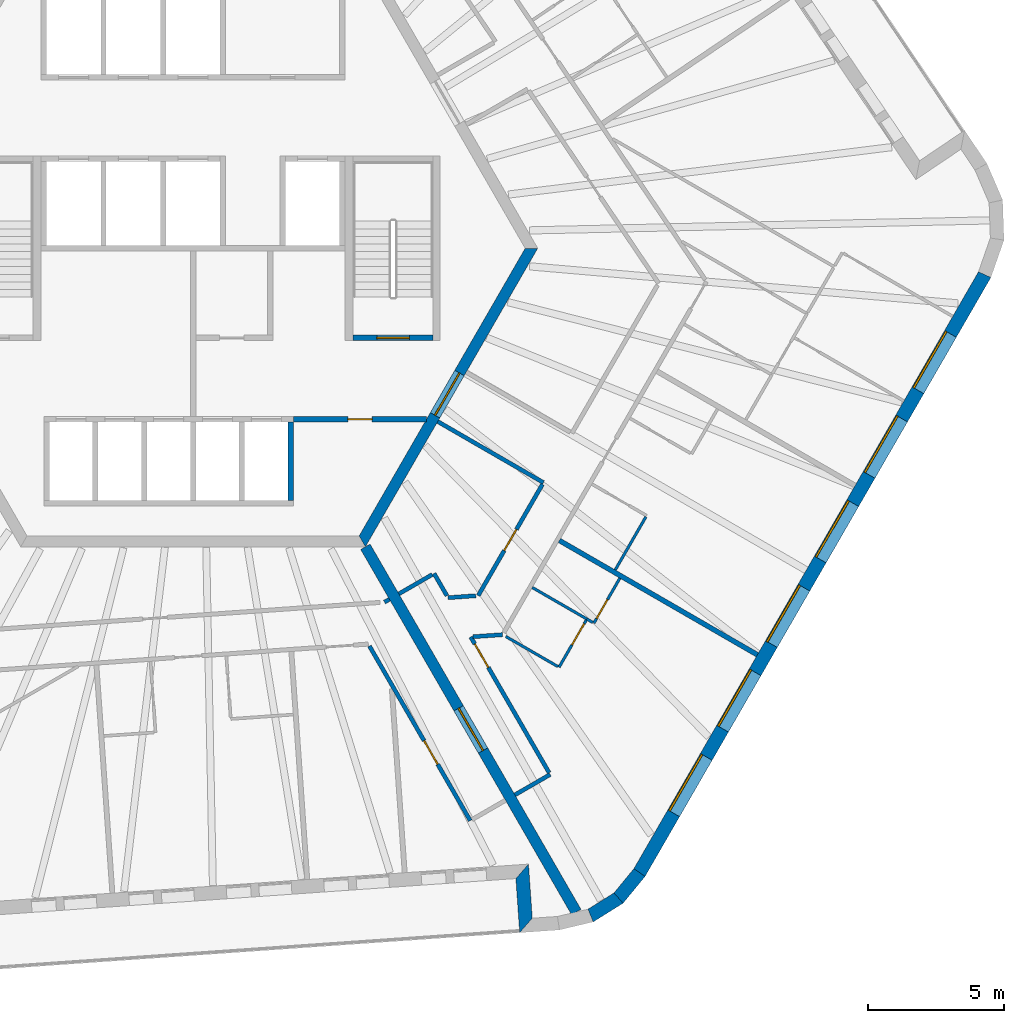
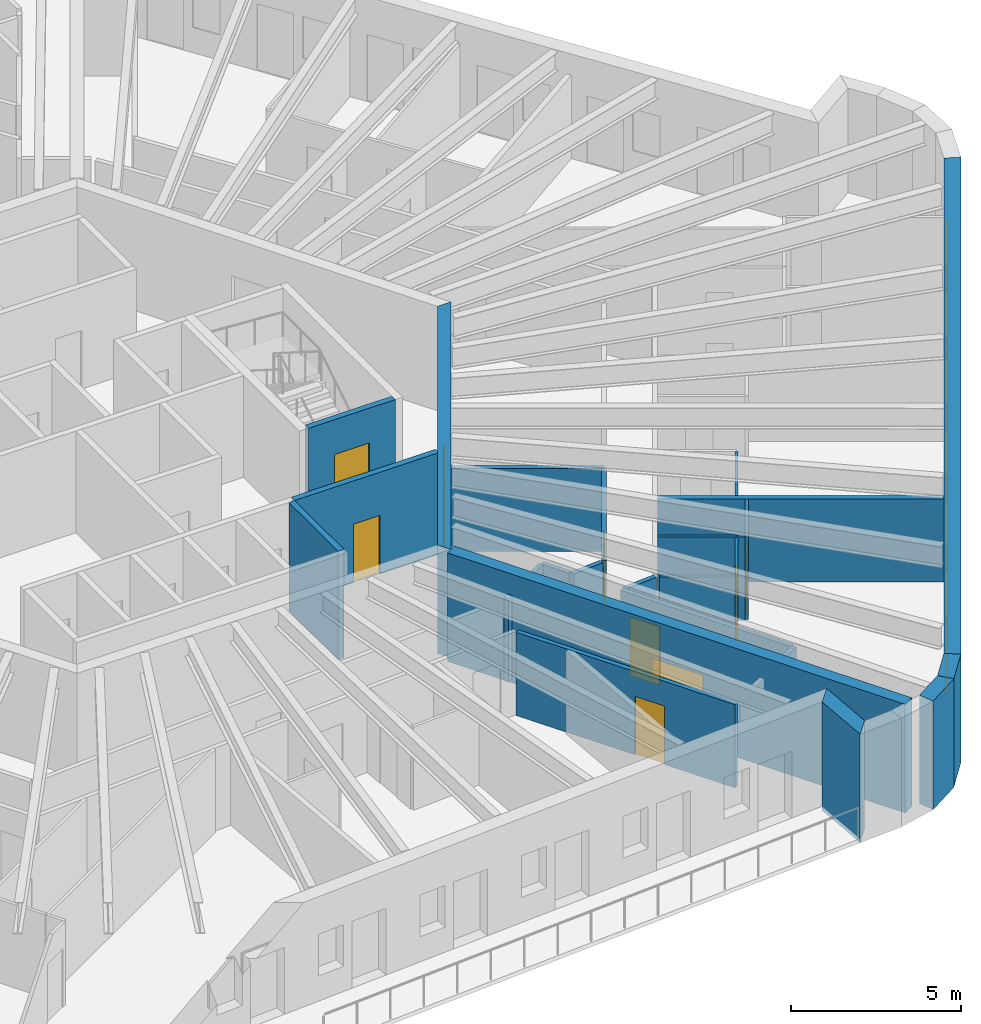
# One storey, part 6 of 12: 26 walls, 9 doors, 6 windows, 15 openings.
"""IFC4 building model written with IfcOpenShell, lengths in metres."""

from ifc_helpers import new_model, si_unit, direction, frame, frame_2d, origin, place, context, subcontext, project, spatial, polyline, rectangle, outline, extrude, material, layer, layer_set, type_object, element, fill, save


model = new_model("IFC4")

# Units and contexts
model_context = context("Model", 3, precision=1e-05, world=origin(), true_north=direction((0.0, 1.0)))
body_context = subcontext(model_context, "Body", "Model", "MODEL_VIEW")
ifc_project = project(units=[si_unit("LENGTHUNIT", "METRE"), si_unit("AREAUNIT", "SQUARE_METRE"), si_unit("VOLUMEUNIT", "CUBIC_METRE"), si_unit("PLANEANGLEUNIT", "RADIAN"), si_unit("MASSUNIT", "GRAM", prefix="KILO")], contexts=[model_context])

# Site, building, storey
site_placement = place(None, origin())
site = spatial("IfcSite", under=ifc_project, at=site_placement, CompositionType="ELEMENT")
building_placement = place(site_placement, origin())
building = spatial("IfcBuilding", under=site, at=building_placement, Name="Tarnside Tower", CompositionType="ELEMENT")
storey_placement = place(building_placement, frame((0.0, 0.0, 275.699951171875)))
storey = spatial("IfcBuildingStorey", under=building, at=storey_placement, Name="L66", CompositionType="ELEMENT", Elevation=275.699951171875)

# Wall, opening, door
ifc_material_1 = material(Name="Gypsum board partition on steel studs", Category="steel")
ifc_layer_1 = layer(ifc_material_1, 0.10009765625)
ifc_layer_set_1 = layer_set([ifc_layer_1], Name="Bathroom wall 100")
wall_type_1 = type_object("IfcWallType", Name="Bathroom wall 100", PredefinedType="PARTITIONING", material=ifc_layer_set_1)
wall_1_placement = place(storey_placement, frame((15.72802734375, -12.158203125, 0.0), z_axis=(0.0, 0.0, 1.0), x_axis=(-0.499947453424, -0.866055739439, 0.0)))
wall_1 = element("IfcWall", 1, at=wall_1_placement, inside=storey, type_object=wall_type_1, Name="Bathroom wall 21144", PredefinedType="PARTITIONING", context=body_context, shape_type="SweptSolid", body=[
    extrude(rectangle(XDim=1.909912109375, YDim=0.10009765625, at=frame_2d((0.955078125, 0.0))), origin(), (0.0, 0.0, 1.0), 2.98779296875),
])
opening_1_placement = place(wall_1_placement, frame((0.909912109375, 0.0, 0.0)))
opening_1 = element("IfcOpeningElement", 2, at=opening_1_placement, cuts=wall_1, Name="Opening D-B1", PredefinedType="OPENING", context=body_context, shape_type="SweptSolid", body=[
    extrude(rectangle(XDim=0.800048828125, YDim=2.10009765625, at=frame_2d((0.39990234375, 1.050048828125))), frame((0.0, 0.06005859375, 0.0), z_axis=(0.0, -1.0, 0.0), x_axis=(1.0, 0.0, 0.0)), (0.0, 0.0, 1.0), 0.1201171875),
])
ifc_material_2 = material(Name="Timber door leaf", Category="wood")
door_type_1 = type_object("IfcDoorType", Name="Bathroom door 800", OperationType="NOTDEFINED", PredefinedType="DOOR", material=ifc_material_2)
door_1_placement = place(opening_1_placement, origin())
door_1 = element("IfcDoor", 3, at=door_1_placement, inside=storey, type_object=door_type_1, Name="Bathroom door 21048", OperationType="SINGLE_SWING_LEFT", OverallHeight=2.10009765625, OverallWidth=0.800048828125, PredefinedType="DOOR", context=body_context, shape_type="SweptSolid", body=[
    extrude(rectangle(XDim=0.800048828125, YDim=2.10009765625, at=frame_2d((0.39990234375, 1.050048828125))), frame((0.0, 0.02490234375, 0.0), z_axis=(0.0, -1.0, 0.0), x_axis=(1.0, 0.0, 0.0)), (0.0, 0.0, 1.0), 0.050048828125),
])
fill(opening_1, door_1)

# Walls
wall_2_placement = place(storey_placement, frame((14.729736328125, -13.787353515625, 0.0), z_axis=(0.0, 0.0, 1.0), x_axis=(-0.865669265636, 0.500616342655, 0.0)))
element("IfcWall", 4, at=wall_2_placement, inside=storey, type_object=wall_type_1, Name="Bathroom wall 21145", PredefinedType="PARTITIONING", context=body_context, shape_type="SweptSolid", body=[
    extrude(rectangle(XDim=0.252197265625, YDim=0.10009765625, at=frame_2d((0.1259765625, 0.0))), origin(), (0.0, 0.0, 1.0), 2.98779296875),
])
wall_3_placement = place(storey_placement, frame((12.499755859375, -12.499755859375, 0.0), z_axis=(0.0, 0.0, 1.0), x_axis=(0.865998469481, -0.500046648681, 0.0)))
element("IfcWall", 5, at=wall_3_placement, inside=storey, type_object=wall_type_1, Name="Bathroom wall 21149", PredefinedType="PARTITIONING", context=body_context, shape_type="SweptSolid", body=[
    extrude(rectangle(XDim=2.324951171875, YDim=0.10009765625, at=frame_2d((1.16259765625, 0.0))), origin(), (0.0, 0.0, 1.0), 2.98779296875),
])

# Wall, opening, door
ifc_material_3 = material(Name="Concrete C40/50", Category="concrete")
ifc_layer_2 = layer(ifc_material_3, 0.199951171875)
ifc_layer_set_2 = layer_set([ifc_layer_2], Name="Core room partition 200 C40/50")
wall_type_2 = type_object("IfcWallType", Name="Core room partition 200 C40/50", PredefinedType="PARTITIONING", material=ifc_layer_set_2)
wall_4_placement = place(storey_placement, frame((3.699951171875, -6.300048828125, 0.0), z_axis=(0.0, 0.0, 1.0), x_axis=(1.0, 0.0, 0.0)))
wall_4 = element("IfcWall", 6, at=wall_4_placement, inside=storey, type_object=wall_type_2, Name="L66 core partition R4X", PredefinedType="PARTITIONING", context=body_context, shape_type="SweptSolid", body=[
    extrude(rectangle(XDim=4.902587890625, YDim=0.199951171875, at=frame_2d((2.451171875, 0.0))), origin(), (0.0, 0.0, 1.0), 3.650146484375),
])
opening_2_placement = place(wall_4_placement, frame((2.001220703125, 0.0, 0.0)))
opening_2 = element("IfcOpeningElement", 7, at=opening_2_placement, cuts=wall_4, Name="Opening CD-room", PredefinedType="OPENING", context=body_context, shape_type="SweptSolid", body=[
    extrude(rectangle(XDim=0.89990234375, YDim=2.10009765625, at=frame_2d((0.449951171875, 1.050048828125))), frame((0.0, 0.10986328125, 0.0), z_axis=(0.0, -1.0, 0.0), x_axis=(1.0, 0.0, 0.0)), (0.0, 0.0, 1.0), 0.219970703125),
])
ifc_material_4 = material(Name="Steel fire door", Category="steel")
door_type_2 = type_object("IfcDoorType", Name="Room door FD60 900x2100", OperationType="NOTDEFINED", PredefinedType="DOOR", material=ifc_material_4)
door_2_placement = place(opening_2_placement, origin())
door_2 = element("IfcDoor", 8, at=door_2_placement, inside=storey, type_object=door_type_2, Name="L66 core room door RX", OperationType="SINGLE_SWING_LEFT", OverallHeight=2.10009765625, OverallWidth=0.89990234375, PredefinedType="DOOR", context=body_context, shape_type="SweptSolid", body=[
    extrude(rectangle(XDim=0.89990234375, YDim=2.10009765625, at=frame_2d((0.449951171875, 1.050048828125))), frame((0.0, 0.02490234375, 0.0), z_axis=(0.0, -1.0, 0.0), x_axis=(1.0, 0.0, 0.0)), (0.0, 0.0, 1.0), 0.050048828125),
])
fill(opening_2, door_2)

ifc_material_5 = material(Name="Concrete C60/75", Category="concrete")
ifc_layer_3 = layer(ifc_material_5, 0.39990234375)
ifc_layer_set_3 = layer_set([ifc_layer_3], Name="Core wall Z3 400 C60/75")
wall_type_3 = type_object("IfcWallType", Name="Core wall Z3 400 C60/75", PredefinedType="SHEAR", material=ifc_layer_set_3)
wall_5_placement = place(storey_placement, frame((6.2353515625, -10.800048828125, -0.14990234375), z_axis=(0.0, 0.0, 1.0), x_axis=(0.499996419489, 0.866027470984, 0.0)))
wall_5 = element("IfcWall", 9, at=wall_5_placement, inside=storey, type_object=wall_type_3, Name="L66 core wall face 5", PredefinedType="SHEAR", context=body_context, shape_type="SweptSolid", body=[
    extrude(outline(polyline([(-0.115478515625, -0.199951171875), (12.586181640625, -0.199951171875), (12.355224609375, 0.199951171875), (0.115478515625, 0.199951171875), (-0.115478515625, -0.199951171875)])), origin(), (0.0, 0.0, 1.0), 3.89990234375),
])
opening_3_placement = place(wall_5_placement, frame((5.3642578125, 0.0, 0.14990234375)))
opening_3 = element("IfcOpeningElement", 10, at=opening_3_placement, cuts=wall_5, Name="Opening CD-FFL", PredefinedType="OPENING", context=body_context, shape_type="SweptSolid", body=[
    extrude(rectangle(XDim=1.800048828125, YDim=2.39990234375, at=frame_2d((0.89990234375, 1.199951171875))), frame((0.0, 0.2099609375, 0.0), z_axis=(0.0, -1.0, 0.0), x_axis=(1.0, 0.0, 0.0)), (0.0, 0.0, 1.0), 0.419921875),
])
door_type_3 = type_object("IfcDoorType", Name="Firefighting lobby double door FD60S 1800x2400", OperationType="NOTDEFINED", PredefinedType="DOOR", material=ifc_material_4)
door_3_placement = place(opening_3_placement, origin())
door_3 = element("IfcDoor", 11, at=door_3_placement, inside=storey, type_object=door_type_3, Name="L66 core door P4", OperationType="DOUBLE_DOOR_SINGLE_SWING", OverallHeight=2.39990234375, OverallWidth=1.800048828125, PredefinedType="DOOR", context=body_context, shape_type="SweptSolid", body=[
    extrude(rectangle(XDim=1.800048828125, YDim=2.39990234375, at=frame_2d((0.89990234375, 1.199951171875))), frame((0.0, 0.02490234375, 0.0), z_axis=(0.0, -1.0, 0.0), x_axis=(1.0, 0.0, 0.0)), (0.0, 0.0, 1.0), 0.050048828125),
])
fill(opening_3, door_3)

wall_6_placement = place(storey_placement, frame((6.350830078125, -11.0, -0.14990234375), z_axis=(0.0, 0.0, 1.0), x_axis=(0.499998894578, -0.866026041999, 0.0)))
wall_6 = element("IfcWall", 12, at=wall_6_placement, inside=storey, type_object=wall_type_3, Name="L66 spine wall 3", PredefinedType="SHEAR", context=body_context, shape_type="SweptSolid", body=[
    extrude(rectangle(XDim=15.54443359375, YDim=0.39990234375, at=frame_2d((7.772216796875, 0.0))), origin(), (0.0, 0.0, 1.0), 3.89990234375),
])
opening_4_placement = place(wall_6_placement, frame((6.872314453125, 0.0, 0.14990234375)))
opening_4 = element("IfcOpeningElement", 13, at=opening_4_placement, cuts=wall_6, Name="Opening CD-SPN", PredefinedType="OPENING", context=body_context, shape_type="SweptSolid", body=[
    extrude(rectangle(XDim=1.800048828125, YDim=2.39990234375, at=frame_2d((0.89990234375, 1.199951171875))), frame((0.0, 0.2099609375, 0.0), z_axis=(0.0, -1.0, 0.0), x_axis=(1.0, 0.0, 0.0)), (0.0, 0.0, 1.0), 0.419921875),
])
door_type_4 = type_object("IfcDoorType", Name="Spine passage double door FD60 1800x2400", OperationType="NOTDEFINED", PredefinedType="DOOR", material=ifc_material_4)
door_4_placement = place(opening_4_placement, origin())
door_4 = element("IfcDoor", 14, at=door_4_placement, inside=storey, type_object=door_type_4, Name="L66 spine passage door 3", OperationType="DOUBLE_DOOR_SINGLE_SWING", OverallHeight=2.39990234375, OverallWidth=1.800048828125, PredefinedType="DOOR", context=body_context, shape_type="SweptSolid", body=[
    extrude(rectangle(XDim=1.800048828125, YDim=2.39990234375, at=frame_2d((0.89990234375, 1.199951171875))), frame((0.0, 0.02490234375, 0.0), z_axis=(0.0, -1.0, 0.0), x_axis=(1.0, 0.0, 0.0)), (0.0, 0.0, 1.0), 0.050048828125),
])
fill(opening_4, door_4)

ifc_layer_4 = layer(ifc_material_1, 0.14990234375)
ifc_layer_set_4 = layer_set([ifc_layer_4], Name="Corridor wall 150 EI 60")
wall_type_4 = type_object("IfcWallType", Name="Corridor wall 150 EI 60", PredefinedType="PARTITIONING", material=ifc_layer_set_4)
wall_7_placement = place(storey_placement, frame((6.49951171875, -14.6572265625, 0.0), z_axis=(0.0, 0.0, 1.0), x_axis=(0.499966098742, -0.8660449758, 0.0)))
wall_7 = element("IfcWall", 15, at=wall_7_placement, inside=storey, type_object=wall_type_4, Name="Corridor wall 21044", PredefinedType="PARTITIONING", context=body_context, shape_type="SweptSolid", body=[
    extrude(rectangle(XDim=7.4306640625, YDim=0.14990234375, at=frame_2d((3.71533203125, 0.0))), origin(), (0.0, 0.0, 1.0), 2.98779296875),
])
opening_5_placement = place(wall_7_placement, frame((4.02978515625, 0.0, 0.0)))
opening_5 = element("IfcOpeningElement", 16, at=opening_5_placement, cuts=wall_7, Name="Opening D-E1", PredefinedType="OPENING", context=body_context, shape_type="SweptSolid", body=[
    extrude(rectangle(XDim=1.0, YDim=2.10009765625, at=frame_2d((0.5, 1.050048828125))), frame((0.0, 0.0849609375, 0.0), z_axis=(0.0, -1.0, 0.0), x_axis=(1.0, 0.0, 0.0)), (0.0, 0.0, 1.0), 0.169921875),
])
door_type_5 = type_object("IfcDoorType", Name="Unit entrance door 1000 FD30S", OperationType="NOTDEFINED", PredefinedType="DOOR", material=ifc_material_2)
door_5_placement = place(opening_5_placement, origin())
door_5 = element("IfcDoor", 17, at=door_5_placement, inside=storey, type_object=door_type_5, Name="Unit door 21046", OperationType="SINGLE_SWING_RIGHT", OverallHeight=2.10009765625, OverallWidth=1.0, PredefinedType="DOOR", context=body_context, shape_type="SweptSolid", body=[
    extrude(rectangle(XDim=1.0, YDim=2.10009765625, at=frame_2d((0.5, 1.050048828125))), frame((0.0, 0.02490234375, 0.0), z_axis=(0.0, -1.0, 0.0), x_axis=(1.0, 0.0, 0.0)), (0.0, 0.0, 1.0), 0.050048828125),
])
fill(opening_5, door_5)

# Walls
wall_8_placement = place(storey_placement, frame((7.23681640625, -12.9345703125, 0.0), z_axis=(0.0, 0.0, 1.0), x_axis=(-0.866088799389, -0.499890179513, 0.0)))
element("IfcWall", 18, at=wall_8_placement, inside=storey, type_object=wall_type_4, Name="Corridor wall 21052", PredefinedType="PARTITIONING", context=body_context, shape_type="SweptSolid", body=[
    extrude(rectangle(XDim=0.2099609375, YDim=0.14990234375, at=frame_2d((0.10498046875, 0.0))), origin(), (0.0, 0.0, 1.0), 2.98779296875),
])
wall_9_placement = place(storey_placement, frame((11.860107421875, -20.142333984375, 0.0), z_axis=(0.0, 0.0, 1.0), x_axis=(0.866031096941, 0.499990139034, 0.0)))
element("IfcWall", 19, at=wall_9_placement, inside=storey, type_object=wall_type_4, Name="Corridor wall 21056", PredefinedType="PARTITIONING", context=body_context, shape_type="SweptSolid", body=[
    extrude(rectangle(XDim=1.5, YDim=0.14990234375, at=frame_2d((0.75, 0.0))), origin(), (0.0, 0.0, 1.0), 2.98779296875),
])

# Wall, opening, door
wall_10_placement = place(storey_placement, frame((13.121826171875, -19.327392578125, 0.0), z_axis=(0.0, 0.0, 1.0), x_axis=(-0.500013707032, 0.866017489881, 0.0)))
wall_10 = element("IfcWall", 20, at=wall_10_placement, inside=storey, type_object=wall_type_4, Name="Corridor wall 21057", PredefinedType="PARTITIONING", context=body_context, shape_type="SweptSolid", body=[
    extrude(rectangle(XDim=5.780517578125, YDim=0.14990234375, at=frame_2d((2.89013671875, 0.0))), origin(), (0.0, 0.0, 1.0), 2.98779296875),
])
opening_6_placement = place(wall_10_placement, frame((4.480712890625, 0.0, 0.0)))
opening_6 = element("IfcOpeningElement", 21, at=opening_6_placement, cuts=wall_10, Name="Opening D-E1", PredefinedType="OPENING", context=body_context, shape_type="SweptSolid", body=[
    extrude(rectangle(XDim=1.0, YDim=2.10009765625, at=frame_2d((0.5, 1.050048828125))), frame((0.0, 0.0849609375, 0.0), z_axis=(0.0, -1.0, 0.0), x_axis=(1.0, 0.0, 0.0)), (0.0, 0.0, 1.0), 0.169921875),
])
door_6_placement = place(opening_6_placement, origin())
door_6 = element("IfcDoor", 22, at=door_6_placement, inside=storey, type_object=door_type_5, Name="Unit door 21047", OperationType="SINGLE_SWING_LEFT", OverallHeight=2.10009765625, OverallWidth=1.0, PredefinedType="DOOR", context=body_context, shape_type="SweptSolid", body=[
    extrude(rectangle(XDim=1.0, YDim=2.10009765625, at=frame_2d((0.5, 1.050048828125))), frame((0.0, 0.02490234375, 0.0), z_axis=(0.0, -1.0, 0.0), x_axis=(1.0, 0.0, 0.0)), (0.0, 0.0, 1.0), 0.050048828125),
])
fill(opening_6, door_6)

# Walls
wall_11_placement = place(storey_placement, frame((10.314453125, -14.3154296875, 0.0), z_axis=(0.0, 0.0, 1.0), x_axis=(0.997557107149, 0.069855693944, 0.0)))
element("IfcWall", 23, at=wall_11_placement, inside=storey, type_object=wall_type_4, Name="Corridor wall 21058", PredefinedType="PARTITIONING", context=body_context, shape_type="SweptSolid", body=[
    extrude(rectangle(XDim=1.097412109375, YDim=0.14990234375, at=frame_2d((0.548828125, 0.0))), origin(), (0.0, 0.0, 1.0), 2.98779296875),
])
wall_12_placement = place(storey_placement, frame((9.015625, -6.38427734375, 0.0), z_axis=(0.0, 0.0, 1.0), x_axis=(0.866031096941, -0.499990139034, 0.0)))
element("IfcWall", 24, at=wall_12_placement, inside=storey, type_object=wall_type_4, Name="Corridor wall 21078", PredefinedType="PARTITIONING", context=body_context, shape_type="SweptSolid", body=[
    extrude(rectangle(XDim=4.5, YDim=0.14990234375, at=frame_2d((2.25, 0.0))), origin(), (0.0, 0.0, 1.0), 2.98779296875),
])

# Wall, opening, door
wall_13_placement = place(storey_placement, frame((12.875244140625, -8.69921875, 0.0), z_axis=(0.0, 0.0, 1.0), x_axis=(-0.49999482868, -0.866028389427, 0.0)))
wall_13 = element("IfcWall", 25, at=wall_13_placement, inside=storey, type_object=wall_type_4, Name="Corridor wall 21079", PredefinedType="PARTITIONING", context=body_context, shape_type="SweptSolid", body=[
    extrude(rectangle(XDim=4.73291015625, YDim=0.14990234375, at=frame_2d((2.366455078125, 0.0))), origin(), (0.0, 0.0, 1.0), 2.98779296875),
])
opening_7_placement = place(wall_13_placement, frame((1.91650390625, 0.0, 0.0)))
opening_7 = element("IfcOpeningElement", 26, at=opening_7_placement, cuts=wall_13, Name="Opening D-S1", PredefinedType="OPENING", context=body_context, shape_type="SweptSolid", body=[
    extrude(rectangle(XDim=0.89990234375, YDim=2.10009765625, at=frame_2d((0.449951171875, 1.050048828125))), frame((0.0, 0.0849609375, 0.0), z_axis=(0.0, -1.0, 0.0), x_axis=(1.0, 0.0, 0.0)), (0.0, 0.0, 1.0), 0.169921875),
])
door_type_6 = type_object("IfcDoorType", Name="Service room door 900 FD30S", OperationType="NOTDEFINED", PredefinedType="DOOR", material=ifc_material_2)
door_7_placement = place(opening_7_placement, origin())
door_7 = element("IfcDoor", 27, at=door_7_placement, inside=storey, type_object=door_type_6, Name="Service door 21074", OperationType="SINGLE_SWING_LEFT", OverallHeight=2.10009765625, OverallWidth=0.89990234375, PredefinedType="DOOR", context=body_context, shape_type="SweptSolid", body=[
    extrude(rectangle(XDim=0.89990234375, YDim=2.10009765625, at=frame_2d((0.449951171875, 1.050048828125))), frame((0.0, 0.02490234375, 0.0), z_axis=(0.0, -1.0, 0.0), x_axis=(1.0, 0.0, 0.0)), (0.0, 0.0, 1.0), 0.050048828125),
])
fill(opening_7, door_7)

# Walls
wall_14_placement = place(storey_placement, frame((10.418701171875, -12.804443359375, 0.0), z_axis=(0.0, 0.0, 1.0), x_axis=(-0.997558136861, -0.069840987838, 0.0)))
element("IfcWall", 28, at=wall_14_placement, inside=storey, type_object=wall_type_4, Name="Corridor wall 21080", PredefinedType="PARTITIONING", context=body_context, shape_type="SweptSolid", body=[
    extrude(rectangle(XDim=1.024169921875, YDim=0.14990234375, at=frame_2d((0.51220703125, 0.0))), origin(), (0.0, 0.0, 1.0), 2.98779296875),
])
wall_15_placement = place(storey_placement, frame((9.355224609375, -12.8037109375, 0.0), z_axis=(0.0, 0.0, 1.0), x_axis=(-0.499998034377, 0.866026538634, 0.0)))
element("IfcWall", 29, at=wall_15_placement, inside=storey, type_object=wall_type_4, Name="Corridor wall 21081", PredefinedType="PARTITIONING", context=body_context, shape_type="SweptSolid", body=[
    extrude(rectangle(XDim=0.94580078125, YDim=0.14990234375, at=frame_2d((0.472900390625, 0.0))), origin(), (0.0, 0.0, 1.0), 2.98779296875),
])
wall_16_placement = place(storey_placement, frame((8.8173828125, -12.022216796875, 0.0), z_axis=(0.0, 0.0, 1.0), x_axis=(-0.866062911188, -0.499935029643, 0.0)))
element("IfcWall", 30, at=wall_16_placement, inside=storey, type_object=wall_type_4, Name="Corridor wall 21082", PredefinedType="PARTITIONING", context=body_context, shape_type="SweptSolid", body=[
    extrude(rectangle(XDim=1.425048828125, YDim=0.14990234375, at=frame_2d((0.71240234375, 0.0))), origin(), (0.0, 0.0, 1.0), 2.98779296875),
])
ifc_layer_5 = layer(ifc_material_1, 0.179931640625)
ifc_layer_set_5 = layer_set([ifc_layer_5], Name="Demising wall 180 EI 60")
wall_type_5 = type_object("IfcWallType", Name="Demising wall 180 EI 60", PredefinedType="PARTITIONING", material=ifc_layer_set_5)
wall_17_placement = place(storey_placement, frame((20.796142578125, -14.980224609375, 0.0), z_axis=(0.0, 0.0, 1.0), x_axis=(-0.866021515814, 0.500006734102, 0.0)))
element("IfcWall", 31, at=wall_17_placement, inside=storey, type_object=wall_type_5, Name="Demising wall 21148", PredefinedType="PARTITIONING", context=body_context, shape_type="SweptSolid", body=[
    extrude(rectangle(XDim=8.42529296875, YDim=0.179931640625, at=frame_2d((4.212646484375, 0.0))), origin(), (0.0, 0.0, 1.0), 2.98779296875),
])
ifc_layer_6 = layer(ifc_material_3, 0.199951171875)
ifc_layer_set_6 = layer_set([ifc_layer_6], Name="Lift shaft wall 200 C40/50")
wall_type_6 = type_object("IfcWallType", Name="Lift shaft wall 200 C40/50", PredefinedType="SHEAR", material=ifc_layer_set_6)
wall_18_placement = place(storey_placement, frame((3.60009765625, -9.300048828125, -0.25), z_axis=(0.0, 0.0, 1.0), x_axis=(0.0, 1.0, 0.0)))
element("IfcWall", 32, at=wall_18_placement, inside=storey, type_object=wall_type_6, Name="L66 lift shaft partition R46", PredefinedType="SHEAR", context=body_context, shape_type="SweptSolid", body=[
    extrude(rectangle(XDim=2.900146484375, YDim=0.199951171875, at=frame_2d((1.4501953125, 0.0))), origin(), (0.0, 0.0, 1.0), 3.900146484375),
])

# Wall, opening, door
wall_19_placement = place(storey_placement, frame((5.89990234375, -3.300048828125, -0.25), z_axis=(0.0, 0.0, 1.0), x_axis=(1.0, 0.0, 0.0)))
wall_19 = element("IfcWall", 33, at=wall_19_placement, inside=storey, type_object=wall_type_6, Name="L66 stair 1 enclosure cap wall s", PredefinedType="SHEAR", context=body_context, shape_type="SweptSolid", body=[
    extrude(rectangle(XDim=2.9501953125, YDim=0.199951171875, at=frame_2d((1.47509765625, 0.0))), origin(), (0.0, 0.0, 1.0), 3.900146484375),
])
opening_8_placement = place(wall_19_placement, frame((0.875, 0.0, 0.25)))
opening_8 = element("IfcOpeningElement", 34, at=opening_8_placement, cuts=wall_19, Name="Opening CD-STR", PredefinedType="OPENING", context=body_context, shape_type="SweptSolid", body=[
    extrude(rectangle(XDim=1.199951171875, YDim=2.39990234375, at=frame_2d((0.60009765625, 1.199951171875))), frame((0.0, 0.10986328125, 0.0), z_axis=(0.0, -1.0, 0.0), x_axis=(1.0, 0.0, 0.0)), (0.0, 0.0, 1.0), 0.219970703125),
])
door_type_7 = type_object("IfcDoorType", Name="Stair door FD60S 1200x2400", OperationType="NOTDEFINED", PredefinedType="DOOR", material=ifc_material_4)
door_8_placement = place(opening_8_placement, origin())
door_8 = element("IfcDoor", 35, at=door_8_placement, inside=storey, type_object=door_type_7, Name="L66 stair 1 door", OperationType="SINGLE_SWING_LEFT", OverallHeight=2.39990234375, OverallWidth=1.199951171875, PredefinedType="DOOR", context=body_context, shape_type="SweptSolid", body=[
    extrude(rectangle(XDim=1.199951171875, YDim=2.39990234375, at=frame_2d((0.60009765625, 1.199951171875))), frame((0.0, 0.02490234375, 0.0), z_axis=(0.0, -1.0, 0.0), x_axis=(1.0, 0.0, 0.0)), (0.0, 0.0, 1.0), 0.050048828125),
])
fill(opening_8, door_8)

# Wall
ifc_material_6 = material(Name="Dark zinc cladding")
ifc_layer_7 = layer(ifc_material_6, 0.10205078125)
ifc_material_7 = material(Name="Concrete C60/75 precast", Category="concrete")
ifc_layer_8 = layer(ifc_material_7, 0.298095703125)
ifc_material_8 = material(Name="Mineral wool insulation")
ifc_layer_9 = layer(ifc_material_8, 0.10009765625)
ifc_layer_set_7 = layer_set([ifc_layer_7, ifc_layer_8, ifc_layer_9], Name="Loggia wall 500 zinc faced")
wall_type_7 = type_object("IfcWallType", Name="Loggia wall 500 zinc faced", PredefinedType="SOLIDWALL", material=ifc_layer_set_7)
wall_20_placement = place(storey_placement, frame((12.128662109375, -22.9599609375, -0.14990234375), z_axis=(0.0, 0.0, 1.0), x_axis=(0.069824268692, -0.99755930726, 0.0)))
element("IfcWall", 36, at=wall_20_placement, inside=storey, type_object=wall_type_7, Name="Tube wall L66 F4 return 19", PredefinedType="SOLIDWALL", context=body_context, shape_type="SweptSolid", body=[
    extrude(outline(polyline([(0.25, -0.25), (2.25, -0.25), (1.75, 0.25), (-0.25, 0.25), (0.25, -0.25)])), origin(), (0.0, 0.0, 1.0), 3.89990234375),
])

# Wall, opening, door
ifc_layer_10 = layer(ifc_material_1, 0.10009765625)
ifc_layer_set_8 = layer_set([ifc_layer_10], Name="Partition 100")
wall_type_8 = type_object("IfcWallType", Name="Partition 100", PredefinedType="PARTITIONING", material=ifc_layer_set_8)
wall_21_placement = place(storey_placement, frame((14.48828125, -13.70556640625, 0.0), z_axis=(0.0, 0.0, 1.0), x_axis=(-0.500035721725, -0.866004778855, 0.0)))
wall_21 = element("IfcWall", 37, at=wall_21_placement, inside=storey, type_object=wall_type_8, Name="Partition wall 21146", PredefinedType="PARTITIONING", context=body_context, shape_type="SweptSolid", body=[
    extrude(rectangle(XDim=2.001220703125, YDim=0.10009765625, at=frame_2d((1.00048828125, 0.0))), origin(), (0.0, 0.0, 1.0), 2.98779296875),
])
opening_9_placement = place(wall_21_placement, frame((0.14990234375, 0.0, 0.0)))
opening_9 = element("IfcOpeningElement", 38, at=opening_9_placement, cuts=wall_21, Name="Opening D-I1", PredefinedType="OPENING", context=body_context, shape_type="SweptSolid", body=[
    extrude(rectangle(XDim=0.89990234375, YDim=2.10009765625, at=frame_2d((0.449951171875, 1.050048828125))), frame((0.0, 0.06005859375, 0.0), z_axis=(0.0, -1.0, 0.0), x_axis=(1.0, 0.0, 0.0)), (0.0, 0.0, 1.0), 0.1201171875),
])
door_type_8 = type_object("IfcDoorType", Name="Internal door 900", OperationType="NOTDEFINED", PredefinedType="DOOR", material=ifc_material_2)
door_9_placement = place(opening_9_placement, origin())
door_9 = element("IfcDoor", 39, at=door_9_placement, inside=storey, type_object=door_type_8, Name="Internal door 21049", OperationType="SINGLE_SWING_RIGHT", OverallHeight=2.10009765625, OverallWidth=0.89990234375, PredefinedType="DOOR", context=body_context, shape_type="SweptSolid", body=[
    extrude(rectangle(XDim=0.89990234375, YDim=2.10009765625, at=frame_2d((0.449951171875, 1.050048828125))), frame((0.0, 0.02490234375, 0.0), z_axis=(0.0, -1.0, 0.0), x_axis=(1.0, 0.0, 0.0)), (0.0, 0.0, 1.0), 0.050048828125),
])
fill(opening_9, door_9)

# Walls
wall_22_placement = place(storey_placement, frame((13.4443359375, -15.413818359375, 0.0), z_axis=(0.0, 0.0, 1.0), x_axis=(-0.866024121142, 0.500002221596, 0.0)))
element("IfcWall", 40, at=wall_22_placement, inside=storey, type_object=wall_type_8, Name="Partition wall 21147", PredefinedType="PARTITIONING", context=body_context, shape_type="SweptSolid", body=[
    extrude(rectangle(XDim=2.2158203125, YDim=0.10009765625, at=frame_2d((1.10791015625, 0.0))), origin(), (0.0, 0.0, 1.0), 2.98779296875),
])
wall_23_placement = place(storey_placement, frame((16.688232421875, -9.89501953125, 0.0), z_axis=(0.0, 0.0, 1.0), x_axis=(-0.49995000081, -0.866054268906, 0.0)))
element("IfcWall", 41, at=wall_23_placement, inside=storey, type_object=wall_type_8, Name="Partition wall 21155", PredefinedType="PARTITIONING", context=body_context, shape_type="SweptSolid", body=[
    extrude(rectangle(XDim=2.260009765625, YDim=0.10009765625, at=frame_2d((1.1298828125, 0.0))), origin(), (0.0, 0.0, 1.0), 2.98779296875),
])
ifc_material_9 = material(Name="Facing brick", Category="masonry")
ifc_layer_11 = layer(ifc_material_9, 0.10205078125)
ifc_layer_12 = layer(ifc_material_7, 0.298095703125)
ifc_layer_13 = layer(ifc_material_8, 0.10009765625)
ifc_layer_set_9 = layer_set([ifc_layer_11, ifc_layer_12, ifc_layer_13], Name="Tube wall 500 brick faced")
wall_type_9 = type_object("IfcWallType", Name="Tube wall 500 brick faced", PredefinedType="SOLIDWALL", material=ifc_layer_set_9)
wall_24_placement = place(storey_placement, frame((14.64892578125, -24.5908203125, -0.14990234375), z_axis=(0.0, 0.0, 1.0), x_axis=(0.848054682072, 0.529908724419, 0.0)))
element("IfcWall", 42, at=wall_24_placement, inside=storey, type_object=wall_type_9, Name="Tube wall L66 F4 chord 22", PredefinedType="SOLIDWALL", context=body_context, shape_type="SweptSolid", body=[
    extrude(outline(polyline([(-0.041015625, -0.25), (1.25732421875, -0.25), (1.17529296875, 0.25), (0.041015625, 0.25), (-0.041015625, -0.25)])), origin(), (0.0, 0.0, 1.0), 3.89990234375),
])
wall_25_placement = place(storey_placement, frame((15.680419921875, -23.9462890625, -0.14990234375), z_axis=(0.0, 0.0, 1.0), x_axis=(0.633805934167, 0.773492105852, 0.0)))
element("IfcWall", 43, at=wall_25_placement, inside=storey, type_object=wall_type_9, Name="Tube wall L66 F4 chord 23", PredefinedType="SOLIDWALL", context=body_context, shape_type="SweptSolid", body=[
    extrude(outline(polyline([(-0.041015625, -0.25), (1.237060546875, -0.25), (1.196044921875, 0.25), (0.041015625, 0.25), (-0.041015625, -0.25)])), origin(), (0.0, 0.0, 1.0), 3.89990234375),
])

# Wall, openings, windows
wall_26_placement = place(storey_placement, frame((16.451416015625, -23.00537109375, -0.14990234375), z_axis=(0.0, 0.0, 1.0), x_axis=(0.500003737743, 0.866023245787, 0.0)))
wall_26 = element("IfcWall", 44, at=wall_26_placement, inside=storey, type_object=wall_type_9, Name="Tube wall L66 F5 flush 24", PredefinedType="SOLIDWALL", context=body_context, shape_type="SweptSolid", body=[
    extrude(outline(polyline([(-0.0205078125, -0.25), (25.468017578125, -0.25), (25.421142578125, 0.25), (0.0205078125, 0.25), (-0.0205078125, -0.25)])), origin(), (0.0, 0.0, 1.0), 3.89990234375),
])
opening_10_placement = place(wall_26_placement, frame((2.5224609375, 0.0, 0.75)))
opening_10 = element("IfcOpeningElement", 45, at=opening_10_placement, cuts=wall_26, Name="Opening WR", PredefinedType="OPENING", context=body_context, shape_type="SweptSolid", body=[
    extrude(rectangle(XDim=2.39990234375, YDim=2.699951171875, at=frame_2d((1.199951171875, 1.35009765625))), frame((0.0, 0.260009765625, 0.0), z_axis=(0.0, -1.0, 0.0), x_axis=(1.0, 0.0, 0.0)), (0.0, 0.0, 1.0), 0.52001953125),
])
opening_11_placement = place(wall_26_placement, frame((6.122314453125, 0.0, 0.75)))
opening_11 = element("IfcOpeningElement", 46, at=opening_11_placement, cuts=wall_26, Name="Opening WR", PredefinedType="OPENING", context=body_context, shape_type="SweptSolid", body=[
    extrude(rectangle(XDim=2.39990234375, YDim=2.699951171875, at=frame_2d((1.199951171875, 1.35009765625))), frame((0.0, 0.260009765625, 0.0), z_axis=(0.0, -1.0, 0.0), x_axis=(1.0, 0.0, 0.0)), (0.0, 0.0, 1.0), 0.52001953125),
])
opening_12_placement = place(wall_26_placement, frame((9.722412109375, 0.0, 0.75)))
opening_12 = element("IfcOpeningElement", 47, at=opening_12_placement, cuts=wall_26, Name="Opening WR", PredefinedType="OPENING", context=body_context, shape_type="SweptSolid", body=[
    extrude(rectangle(XDim=2.39990234375, YDim=2.699951171875, at=frame_2d((1.199951171875, 1.35009765625))), frame((0.0, 0.260009765625, 0.0), z_axis=(0.0, -1.0, 0.0), x_axis=(1.0, 0.0, 0.0)), (0.0, 0.0, 1.0), 0.52001953125),
])
opening_13_placement = place(wall_26_placement, frame((13.322509765625, 0.0, 0.75)))
opening_13 = element("IfcOpeningElement", 48, at=opening_13_placement, cuts=wall_26, Name="Opening WR", PredefinedType="OPENING", context=body_context, shape_type="SweptSolid", body=[
    extrude(rectangle(XDim=2.39990234375, YDim=2.699951171875, at=frame_2d((1.199951171875, 1.35009765625))), frame((0.0, 0.260009765625, 0.0), z_axis=(0.0, -1.0, 0.0), x_axis=(1.0, 0.0, 0.0)), (0.0, 0.0, 1.0), 0.52001953125),
])
opening_14_placement = place(wall_26_placement, frame((16.92236328125, 0.0, 0.75)))
opening_14 = element("IfcOpeningElement", 49, at=opening_14_placement, cuts=wall_26, Name="Opening WR", PredefinedType="OPENING", context=body_context, shape_type="SweptSolid", body=[
    extrude(rectangle(XDim=2.39990234375, YDim=2.699951171875, at=frame_2d((1.199951171875, 1.35009765625))), frame((0.0, 0.260009765625, 0.0), z_axis=(0.0, -1.0, 0.0), x_axis=(1.0, 0.0, 0.0)), (0.0, 0.0, 1.0), 0.52001953125),
])
opening_15_placement = place(wall_26_placement, frame((20.5224609375, 0.0, 0.75)))
opening_15 = element("IfcOpeningElement", 50, at=opening_15_placement, cuts=wall_26, Name="Opening WR", PredefinedType="OPENING", context=body_context, shape_type="SweptSolid", body=[
    extrude(rectangle(XDim=2.39990234375, YDim=2.699951171875, at=frame_2d((1.199951171875, 1.35009765625))), frame((0.0, 0.260009765625, 0.0), z_axis=(0.0, -1.0, 0.0), x_axis=(1.0, 0.0, 0.0)), (0.0, 0.0, 1.0), 0.52001953125),
])
ifc_material_10 = material(Name="Aluminium-framed double glazing", Category="aluminium")
window_type = type_object("IfcWindowType", Name="Residence window 2400 x 2700", PartitioningType="DOUBLE_PANEL_VERTICAL", PredefinedType="WINDOW", material=ifc_material_10)
window_1_placement = place(opening_10_placement, frame((0.0, 0.179931640625, 0.0)))
window_1 = element("IfcWindow", 51, at=window_1_placement, inside=storey, type_object=window_type, Name="E.WN.L66.F5.00", OverallHeight=2.699951171875, OverallWidth=2.39990234375, PartitioningType="DOUBLE_PANEL_VERTICAL", PredefinedType="WINDOW", context=body_context, shape_type="SweptSolid", body=[
    extrude(rectangle(XDim=2.39990234375, YDim=2.699951171875, at=frame_2d((1.199951171875, 1.35009765625))), frame((0.0, 0.030029296875, 0.0), z_axis=(0.0, -1.0, 0.0), x_axis=(1.0, 0.0, 0.0)), (0.0, 0.0, 1.0), 0.06005859375),
])
fill(opening_10, window_1)
window_2_placement = place(opening_11_placement, frame((0.0, 0.179931640625, 0.0)))
window_2 = element("IfcWindow", 52, at=window_2_placement, inside=storey, type_object=window_type, Name="E.WN.L66.F5.01", OverallHeight=2.699951171875, OverallWidth=2.39990234375, PartitioningType="DOUBLE_PANEL_VERTICAL", PredefinedType="WINDOW", context=body_context, shape_type="SweptSolid", body=[
    extrude(rectangle(XDim=2.39990234375, YDim=2.699951171875, at=frame_2d((1.199951171875, 1.35009765625))), frame((0.0, 0.030029296875, 0.0), z_axis=(0.0, -1.0, 0.0), x_axis=(1.0, 0.0, 0.0)), (0.0, 0.0, 1.0), 0.06005859375),
])
fill(opening_11, window_2)
window_3_placement = place(opening_12_placement, frame((0.0, 0.179931640625, 0.0)))
window_3 = element("IfcWindow", 53, at=window_3_placement, inside=storey, type_object=window_type, Name="E.WN.L66.F5.02", OverallHeight=2.699951171875, OverallWidth=2.39990234375, PartitioningType="DOUBLE_PANEL_VERTICAL", PredefinedType="WINDOW", context=body_context, shape_type="SweptSolid", body=[
    extrude(rectangle(XDim=2.39990234375, YDim=2.699951171875, at=frame_2d((1.199951171875, 1.35009765625))), frame((0.0, 0.030029296875, 0.0), z_axis=(0.0, -1.0, 0.0), x_axis=(1.0, 0.0, 0.0)), (0.0, 0.0, 1.0), 0.06005859375),
])
fill(opening_12, window_3)
window_4_placement = place(opening_13_placement, frame((0.0, 0.179931640625, 0.0)))
window_4 = element("IfcWindow", 54, at=window_4_placement, inside=storey, type_object=window_type, Name="E.WN.L66.F5.03", OverallHeight=2.699951171875, OverallWidth=2.39990234375, PartitioningType="DOUBLE_PANEL_VERTICAL", PredefinedType="WINDOW", context=body_context, shape_type="SweptSolid", body=[
    extrude(rectangle(XDim=2.39990234375, YDim=2.699951171875, at=frame_2d((1.199951171875, 1.35009765625))), frame((0.0, 0.030029296875, 0.0), z_axis=(0.0, -1.0, 0.0), x_axis=(1.0, 0.0, 0.0)), (0.0, 0.0, 1.0), 0.06005859375),
])
fill(opening_13, window_4)
window_5_placement = place(opening_14_placement, frame((0.0, 0.179931640625, 0.0)))
window_5 = element("IfcWindow", 55, at=window_5_placement, inside=storey, type_object=window_type, Name="E.WN.L66.F5.04", OverallHeight=2.699951171875, OverallWidth=2.39990234375, PartitioningType="DOUBLE_PANEL_VERTICAL", PredefinedType="WINDOW", context=body_context, shape_type="SweptSolid", body=[
    extrude(rectangle(XDim=2.39990234375, YDim=2.699951171875, at=frame_2d((1.199951171875, 1.35009765625))), frame((0.0, 0.030029296875, 0.0), z_axis=(0.0, -1.0, 0.0), x_axis=(1.0, 0.0, 0.0)), (0.0, 0.0, 1.0), 0.06005859375),
])
fill(opening_14, window_5)
window_6_placement = place(opening_15_placement, frame((0.0, 0.179931640625, 0.0)))
window_6 = element("IfcWindow", 56, at=window_6_placement, inside=storey, type_object=window_type, Name="E.WN.L66.F5.05", OverallHeight=2.699951171875, OverallWidth=2.39990234375, PartitioningType="DOUBLE_PANEL_VERTICAL", PredefinedType="WINDOW", context=body_context, shape_type="SweptSolid", body=[
    extrude(rectangle(XDim=2.39990234375, YDim=2.699951171875, at=frame_2d((1.199951171875, 1.35009765625))), frame((0.0, 0.030029296875, 0.0), z_axis=(0.0, -1.0, 0.0), x_axis=(1.0, 0.0, 0.0)), (0.0, 0.0, 1.0), 0.06005859375),
])
fill(opening_15, window_6)

save(model, "model.ifc")
